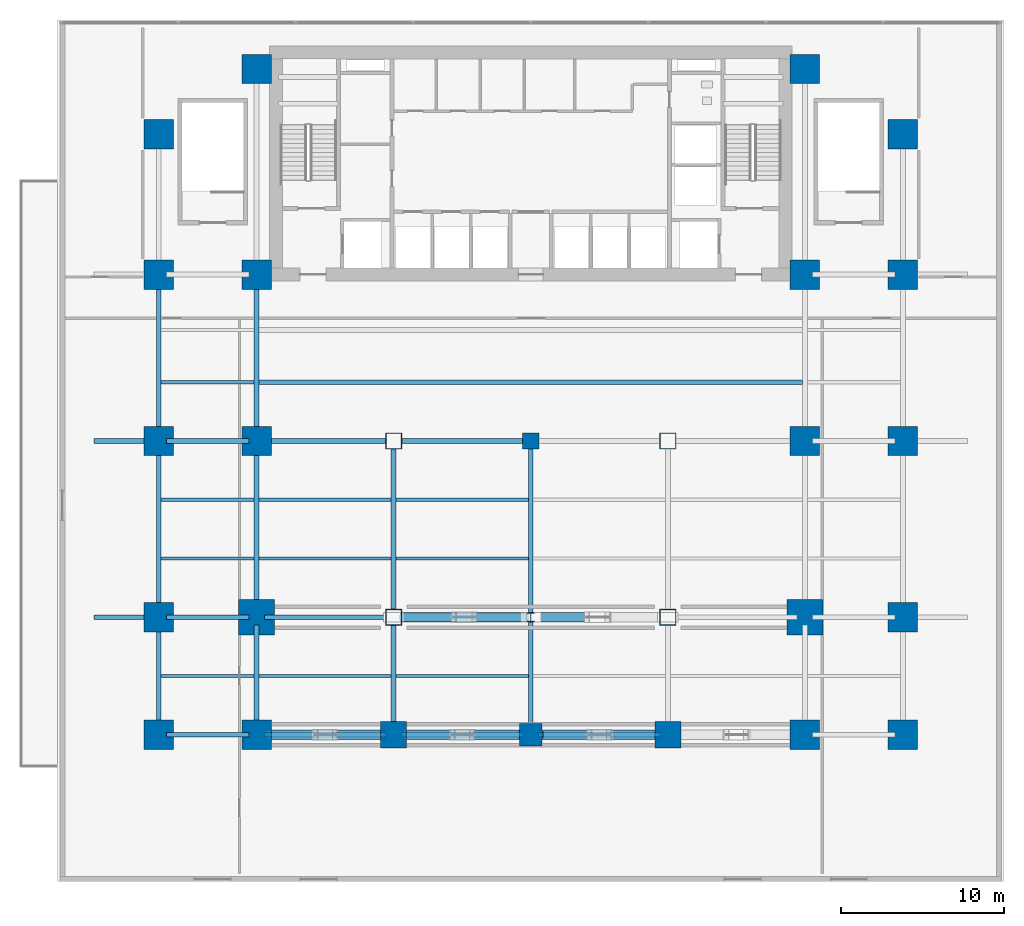
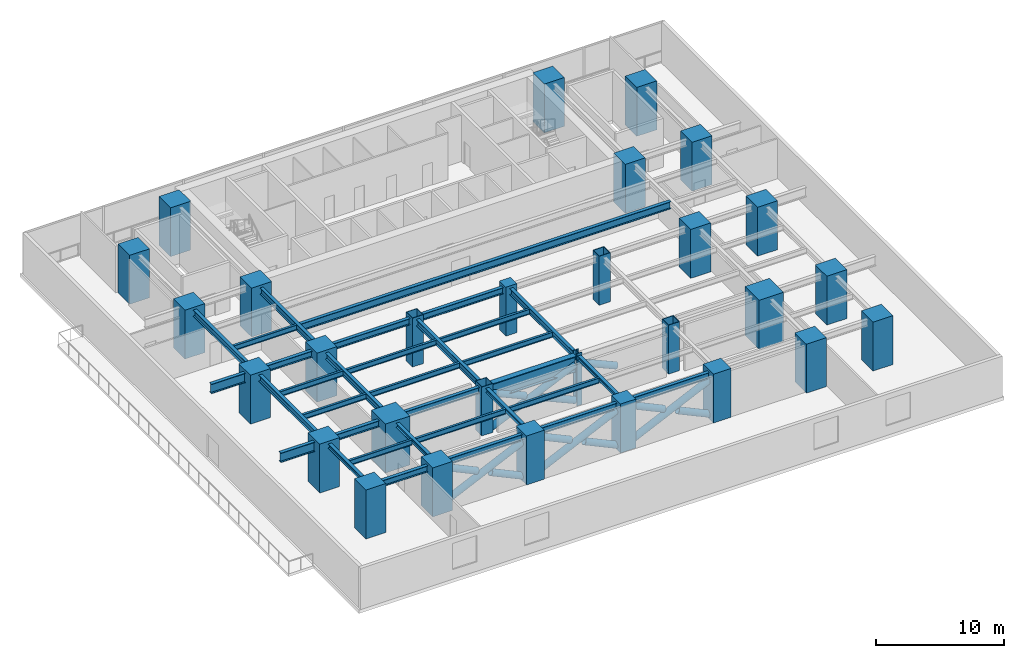
# One storey, part 1 of 15: 33 beams, 29 columns, 13 members.
"""IFC4 building model written with IfcOpenShell, lengths in metres."""

from ifc_helpers import new_model, si_unit, direction, frame, origin, origin_with_axes, origin_2d, place, context, subcontext, project, spatial, rectangle, hollow_rectangle, hollow_circle, i_section, extrude, source, transform, mapped, material, material_profile, profile_set, type_object, element, save


model = new_model("IFC4")

# Units and contexts
model_context = context("Model", 3, precision=1e-05, world=origin(), true_north=direction((0.0, 1.0)))
body_context = subcontext(model_context, "Body", "Model", "MODEL_VIEW")
ifc_project = project(units=[si_unit("LENGTHUNIT", "METRE"), si_unit("AREAUNIT", "SQUARE_METRE"), si_unit("VOLUMEUNIT", "CUBIC_METRE"), si_unit("PLANEANGLEUNIT", "RADIAN"), si_unit("MASSUNIT", "GRAM", prefix="KILO")], contexts=[model_context])

# Site, building, storey
site_placement = place(None, origin())
site = spatial("IfcSite", under=ifc_project, at=site_placement, CompositionType="ELEMENT")
building_placement = place(site_placement, origin())
building = spatial("IfcBuilding", under=site, at=building_placement, Name="Sumidabori Civic Tower", CompositionType="ELEMENT")
storey_placement = place(building_placement, frame((0.0, 0.0, 18.949951171875)))
storey = spatial("IfcBuildingStorey", under=building, at=storey_placement, Name="L04", CompositionType="ELEMENT", Elevation=18.949951171875)

# Columns
ifc_material_1 = material(Name="Concrete C60/75", Category="concrete")
ifc_material_profile_1 = material_profile(ifc_material_1, rectangle(XDim=1.800048828125, YDim=1.800048828125, at=origin_2d()), Name="RC 1800x1800")
ifc_profile_set_1 = profile_set([ifc_material_profile_1], Name="Concrete C60/75")
column_type_1 = type_object("IfcColumnType", Name="CL-MEGA-1800", PredefinedType="COLUMN", material=ifc_profile_set_1)
shared_shape_1 = source(origin(), body_context, "Body", "SweptSolid", [
    extrude(rectangle(XDim=1.800048828125, YDim=1.800048828125, at=origin_2d()), origin(), (0.0, 0.0, 1.0), 4.650146484375),
])
for number, where, z_axis, x_axis, name in (
    (1, (-16.800048828125, -18.0, 0.0), (0.0, 0.0, 1.0), (1.0, 0.0, 0.0), "Column MC-W16-Y18S L04"),
    (2, (-16.800048828125, 0.0, 0.0), (0.0, 0.0, 1.0), (1.0, 0.0, 0.0), "Column MC-W16-Y00 L04"),
    (3, (-16.800048828125, 10.199951171875, 0.0), (0.0, 0.0, 1.0), (1.0, 0.0, 0.0), "Column MC-W16-Y10N L04"),
    (4, (-16.800048828125, 22.800048828125, 0.0), (0.0, 0.0, 1.0), (1.0, 0.0, 0.0), "Column MC-W16-Y23N L04"),
    (5, (16.800048828125, -18.0, 0.0), (0.0, 0.0, 1.0), (1.0, 0.0, 0.0), "Column MC-E16-Y18S L04"),
    (6, (16.800048828125, 0.0, 0.0), (0.0, 0.0, 1.0), (1.0, 0.0, 0.0), "Column MC-E16-Y00 L04"),
    (7, (16.800048828125, 10.199951171875, 0.0), (0.0, 0.0, 1.0), (1.0, 0.0, 0.0), "Column MC-E16-Y10N L04"),
    (8, (16.800048828125, 22.800048828125, 0.0), (0.0, 0.0, 1.0), (1.0, 0.0, 0.0), "Column MC-E16-Y23N L04"),
    (9, (-22.800048828125, -18.0, 0.0), (0.0, 0.0, 1.0), (1.0, 0.0, 0.0), "Column MC-W23-Y18S L04"),
    (10, (-22.800048828125, -10.800048828125, 0.0), (0.0, 0.0, 1.0), (1.0, 0.0, 0.0), "Column MC-W23-Y11S L04"),
    (11, (-22.800048828125, 0.0, 0.0), (0.0, 0.0, 1.0), (1.0, 0.0, 0.0), "Column MC-W23-Y00 L04"),
    (12, (-22.800048828125, 10.199951171875, 0.0), (0.0, 0.0, 1.0), (1.0, 0.0, 0.0), "Column MC-W23-Y10N L04"),
    (13, (-22.800048828125, 18.800048828125, 0.0), (0.0, 0.0, 1.0), (1.0, 0.0, 0.0), "Column MC-W23-Y19N L04"),
    (14, (22.800048828125, -18.0, 0.0), (0.0, 0.0, 1.0), (1.0, 0.0, 0.0), "Column MC-E23-Y18S L04"),
    (15, (22.800048828125, -10.800048828125, 0.0), (0.0, 0.0, 1.0), (1.0, 0.0, 0.0), "Column MC-E23-Y11S L04"),
    (16, (22.800048828125, 0.0, 0.0), (0.0, 0.0, 1.0), (1.0, 0.0, 0.0), "Column MC-E23-Y00 L04"),
    (17, (22.800048828125, 10.199951171875, 0.0), (0.0, 0.0, 1.0), (1.0, 0.0, 0.0), "Column MC-E23-Y10N L04"),
    (18, (22.800048828125, 18.800048828125, 0.0), (0.0, 0.0, 1.0), (1.0, 0.0, 0.0), "Column MC-E23-Y19N L04"),
):
    element("IfcColumn", number, at=place(storey_placement, frame(where, z_axis=z_axis, x_axis=x_axis)), inside=storey, type_object=column_type_1, Name=name, PredefinedType="COLUMN", context=body_context, shape_type="MappedRepresentation", body=[
        mapped(shared_shape_1, transform((0.0, 0.0, 0.0), x_axis=(1.0, 0.0, 0.0), y_axis=(0.0, 1.0, 0.0), z_axis=(0.0, 0.0, 1.0), scale=1.0)),
    ])
ifc_material_profile_2 = material_profile(ifc_material_1, rectangle(XDim=2.199951171875, YDim=2.199951171875, at=origin_2d()), Name="RC 2200x2200")
ifc_profile_set_2 = profile_set([ifc_material_profile_2], Name="Concrete C60/75")
column_type_2 = type_object("IfcColumnType", Name="CL-SUPER-2200", PredefinedType="COLUMN", material=ifc_profile_set_2)
shared_shape_2 = source(origin(), body_context, "Body", "SweptSolid", [
    extrude(rectangle(XDim=2.199951171875, YDim=2.199951171875, at=origin_2d()), origin(), (0.0, 0.0, 1.0), 4.650146484375),
])
for number, where, z_axis, x_axis, name in (
    (19, (-16.800048828125, -10.800048828125, 0.0), (0.0, 0.0, 1.0), (1.0, 0.0, 0.0), "Column MC-W16-Y11S L04"),
    (20, (16.800048828125, -10.800048828125, 0.0), (0.0, 0.0, 1.0), (1.0, 0.0, 0.0), "Column MC-E16-Y11S L04"),
):
    element("IfcColumn", number, at=place(storey_placement, frame(where, z_axis=z_axis, x_axis=x_axis)), inside=storey, type_object=column_type_2, Name=name, PredefinedType="COLUMN", context=body_context, shape_type="MappedRepresentation", body=[
        mapped(shared_shape_2, transform((0.0, 0.0, 0.0), x_axis=(1.0, 0.0, 0.0), y_axis=(0.0, 1.0, 0.0), z_axis=(0.0, 0.0, 1.0), scale=1.0)),
    ])
ifc_material_profile_3 = material_profile(ifc_material_1, rectangle(XDim=1.60009765625, YDim=1.60009765625, at=origin_2d()), Name="RC 1600x1600")
ifc_profile_set_3 = profile_set([ifc_material_profile_3], Name="Concrete C60/75")
column_type_3 = type_object("IfcColumnType", Name="CL-MEGA-1600", PredefinedType="COLUMN", material=ifc_profile_set_3)
shared_shape_3 = source(origin(), body_context, "Body", "SweptSolid", [
    extrude(rectangle(XDim=1.60009765625, YDim=1.60009765625, at=origin_2d()), origin(), (0.0, 0.0, 1.0), 4.650146484375),
])
for number, where, z_axis, x_axis, name in (
    (21, (-8.39990234375, -18.0, 0.0), (0.0, 0.0, 1.0), (1.0, 0.0, 0.0), "Column MC-W08-Y18S L04"),
    (22, (8.39990234375, -18.0, 0.0), (0.0, 0.0, 1.0), (1.0, 0.0, 0.0), "Column MC-E08-Y18S L04"),
):
    element("IfcColumn", number, at=place(storey_placement, frame(where, z_axis=z_axis, x_axis=x_axis)), inside=storey, type_object=column_type_3, Name=name, PredefinedType="COLUMN", context=body_context, shape_type="MappedRepresentation", body=[
        mapped(shared_shape_3, transform((0.0, 0.0, 0.0), x_axis=(1.0, 0.0, 0.0), y_axis=(0.0, 1.0, 0.0), z_axis=(0.0, 0.0, 1.0), scale=1.0)),
    ])
ifc_material_2 = material(Name="Steel SM570", Category="steel")
ifc_material_profile_4 = material_profile(ifc_material_2, hollow_rectangle(XDim=1.0, YDim=1.0, WallThickness=0.044921875, at=origin_2d()), Name="SHS 1000x1000x45")
ifc_profile_set_4 = profile_set([ifc_material_profile_4], Name="Steel SM570")
column_type_4 = type_object("IfcColumnType", Name="CL-PORTAL-SHS1000", PredefinedType="COLUMN", material=ifc_profile_set_4)
shared_shape_4 = source(origin(), body_context, "Body", "SweptSolid", [
    extrude(hollow_rectangle(XDim=1.0, YDim=1.0, WallThickness=0.044921875, at=origin_2d()), origin(), (0.0, 0.0, 1.0), 4.650146484375),
])
for number, where, z_axis, x_axis, name in (
    (23, (-8.39990234375, 0.0, 0.0), (0.0, 0.0, 1.0), (1.0, 0.0, 0.0), "Column MC-W08-Y00 L04"),
    (24, (-8.39990234375, -10.800048828125, 0.0), (0.0, 0.0, 1.0), (1.0, 0.0, 0.0), "Column MC-W08-Y11S L04"),
    (25, (8.39990234375, 0.0, 0.0), (0.0, 0.0, 1.0), (1.0, 0.0, 0.0), "Column MC-E08-Y00 L04"),
    (26, (8.39990234375, -10.800048828125, 0.0), (0.0, 0.0, 1.0), (1.0, 0.0, 0.0), "Column MC-E08-Y11S L04"),
):
    element("IfcColumn", number, at=place(storey_placement, frame(where, z_axis=z_axis, x_axis=x_axis)), inside=storey, type_object=column_type_4, Name=name, PredefinedType="COLUMN", context=body_context, shape_type="MappedRepresentation", body=[
        mapped(shared_shape_4, transform((0.0, 0.0, 0.0), x_axis=(1.0, 0.0, 0.0), y_axis=(0.0, 1.0, 0.0), z_axis=(0.0, 0.0, 1.0), scale=1.0)),
    ])
ifc_material_profile_5 = material_profile(ifc_material_1, rectangle(XDim=1.39990234375, YDim=1.39990234375, at=origin_2d()), Name="RC 1400x1400")
ifc_profile_set_5 = profile_set([ifc_material_profile_5], Name="Concrete C60/75")
column_type_5 = type_object("IfcColumnType", Name="CL-MEGA-1400", PredefinedType="COLUMN", material=ifc_profile_set_5)
shared_shape_5 = source(origin(), body_context, "Body", "SweptSolid", [
    extrude(rectangle(XDim=1.39990234375, YDim=1.39990234375, at=origin_2d()), origin(), (0.0, 0.0, 1.0), 4.650146484375),
])
column_1_placement = place(storey_placement, frame((0.0, -18.0, 0.0), z_axis=(0.0, 0.0, 1.0), x_axis=(1.0, 0.0, 0.0)))
element("IfcColumn", 27, at=column_1_placement, inside=storey, type_object=column_type_5, Name="Column MC-C00-Y18S L04", PredefinedType="COLUMN", context=body_context, shape_type="MappedRepresentation", body=[
    mapped(shared_shape_5, transform((0.0, 0.0, 0.0), x_axis=(1.0, 0.0, 0.0), y_axis=(0.0, 1.0, 0.0), z_axis=(0.0, 0.0, 1.0), scale=1.0)),
])
ifc_material_3 = material(Name="Concrete C50/60", Category="concrete")
ifc_material_profile_6 = material_profile(ifc_material_3, rectangle(XDim=1.0, YDim=1.0, at=origin_2d()), Name="RC 1000x1000")
ifc_profile_set_6 = profile_set([ifc_material_profile_6], Name="Concrete C50/60")
column_type_6 = type_object("IfcColumnType", Name="CL-INT-1000", PredefinedType="COLUMN", material=ifc_profile_set_6)
shared_shape_6 = source(origin(), body_context, "Body", "SweptSolid", [
    extrude(rectangle(XDim=1.0, YDim=1.0, at=origin_2d()), origin(), (0.0, 0.0, 1.0), 4.650146484375),
])
column_2_placement = place(storey_placement, origin_with_axes())
element("IfcColumn", 28, at=column_2_placement, inside=storey, type_object=column_type_6, Name="Column MC-C00-Y00 L04", PredefinedType="COLUMN", context=body_context, shape_type="MappedRepresentation", body=[
    mapped(shared_shape_6, transform((0.0, 0.0, 0.0), x_axis=(1.0, 0.0, 0.0), y_axis=(0.0, 1.0, 0.0), z_axis=(0.0, 0.0, 1.0), scale=1.0)),
])
ifc_material_4 = material(Name="Steel SN490", Category="steel")
ifc_material_profile_7 = material_profile(ifc_material_4, i_section(OverallWidth=0.4541015625, OverallDepth=0.569091796875, WebThickness=0.044921875, FlangeThickness=0.06396484375, at=origin_2d()), Name="W14X730")
ifc_profile_set_7 = profile_set([ifc_material_profile_7], Name="Steel SN490")
column_type_7 = type_object("IfcColumnType", Name="CL-TRUSS-W14", PredefinedType="COLUMN", material=ifc_profile_set_7)
shared_shape_7 = source(origin(), body_context, "Body", "SweptSolid", [
    extrude(i_section(OverallWidth=0.4541015625, OverallDepth=0.569091796875, WebThickness=0.044921875, FlangeThickness=0.06396484375, at=origin_2d()), origin(), (0.0, 0.0, 1.0), 4.97021484375),
])
column_3_placement = place(storey_placement, frame((0.0, -10.800048828125, -0.320068359375), z_axis=(0.0, 0.0, 1.0), x_axis=(1.0, 0.0, 0.0)))
element("IfcColumn", 29, at=column_3_placement, inside=storey, type_object=column_type_7, Name="Column MC-C00-Y11S L04", PredefinedType="COLUMN", context=body_context, shape_type="MappedRepresentation", body=[
    mapped(shared_shape_7, transform((0.0, 0.0, 0.0), x_axis=(1.0, 0.0, 0.0), y_axis=(0.0, 1.0, 0.0), z_axis=(0.0, 0.0, 1.0), scale=1.0)),
])

# Beams
ifc_material_profile_8 = material_profile(ifc_material_4, i_section(OverallWidth=0.300048828125, OverallDepth=0.60009765625, WebThickness=0.015380859375, FlangeThickness=0.030029296875, at=origin_2d()), Name="HE 600 B")
ifc_profile_set_8 = profile_set([ifc_material_profile_8], Name="Steel SN490")
beam_type_1 = type_object("IfcBeamType", Name="BM-GIRD-600", PredefinedType="BEAM", material=ifc_profile_set_8)
shared_shape_8 = source(origin(), body_context, "Body", "SweptSolid", [
    extrude(i_section(OverallWidth=0.300048828125, OverallDepth=0.60009765625, WebThickness=0.015380859375, FlangeThickness=0.030029296875, at=origin_2d()), origin(), (0.0, 0.0, 1.0), 5.0400390625),
])
for number, where, z_axis, x_axis, name in (
    (30, (-22.320068359375, -18.0, 4.110107421875), (1.0, 0.0, 0.0), (0.0, 1.0, 0.0), "Primary Girder L04 GX-01"),
    (31, (-22.320068359375, -10.800048828125, 4.110107421875), (1.0, 0.0, 0.0), (0.0, 1.0, 0.0), "Primary Girder L04 GX-07"),
    (32, (-22.320068359375, 0.0, 4.110107421875), (1.0, 0.0, 0.0), (0.0, 1.0, 0.0), "Primary Girder L04 GX-11"),
):
    element("IfcBeam", number, at=place(storey_placement, frame(where, z_axis=z_axis, x_axis=x_axis)), inside=storey, type_object=beam_type_1, Name=name, PredefinedType="BEAM", context=body_context, shape_type="MappedRepresentation", body=[
        mapped(shared_shape_8, transform((0.0, 0.0, 0.0), x_axis=(1.0, 0.0, 0.0), y_axis=(0.0, 1.0, 0.0), z_axis=(0.0, 0.0, 1.0), scale=1.0)),
    ])
shared_shape_9 = source(origin(), body_context, "Body", "SweptSolid", [
    extrude(i_section(OverallWidth=0.300048828125, OverallDepth=0.60009765625, WebThickness=0.015380859375, FlangeThickness=0.030029296875, at=origin_2d()), origin(), (0.0, 0.0, 1.0), 7.440185546875),
])
for number, where, z_axis, x_axis, name in (
    (33, (-16.320068359375, -18.0, 4.110107421875), (1.0, 0.0, 0.0), (0.0, 1.0, 0.0), "Primary Girder L04 GX-02"),
    (34, (-16.320068359375, -10.800048828125, 4.110107421875), (1.0, 0.0, 0.0), (0.0, 1.0, 0.0), "Primary Girder L04 GX-08"),
    (35, (-16.320068359375, 0.0, 4.110107421875), (1.0, 0.0, 0.0), (0.0, 1.0, 0.0), "Primary Girder L04 GX-12"),
):
    element("IfcBeam", number, at=place(storey_placement, frame(where, z_axis=z_axis, x_axis=x_axis)), inside=storey, type_object=beam_type_1, Name=name, PredefinedType="BEAM", context=body_context, shape_type="MappedRepresentation", body=[
        mapped(shared_shape_9, transform((0.0, 0.0, 0.0), x_axis=(1.0, 0.0, 0.0), y_axis=(0.0, 1.0, 0.0), z_axis=(0.0, 0.0, 1.0), scale=1.0)),
    ])
shared_shape_10 = source(origin(), body_context, "Body", "SweptSolid", [
    extrude(i_section(OverallWidth=0.300048828125, OverallDepth=0.60009765625, WebThickness=0.015380859375, FlangeThickness=0.030029296875, at=origin_2d()), origin(), (0.0, 0.0, 1.0), 7.43994140625),
])
for number, where, z_axis, x_axis, name in (
    (36, (-7.919921875, -18.0, 4.110107421875), (1.0, 0.0, 0.0), (0.0, 1.0, 0.0), "Primary Girder L04 GX-03"),
    (37, (0.47998046875, -18.0, 4.110107421875), (1.0, 0.0, 0.0), (0.0, 1.0, 0.0), "Primary Girder L04 GX-04"),
    (38, (-7.919921875, 0.0, 4.110107421875), (1.0, 0.0, 0.0), (0.0, 1.0, 0.0), "Primary Girder L04 GX-13"),
):
    element("IfcBeam", number, at=place(storey_placement, frame(where, z_axis=z_axis, x_axis=x_axis)), inside=storey, type_object=beam_type_1, Name=name, PredefinedType="BEAM", context=body_context, shape_type="MappedRepresentation", body=[
        mapped(shared_shape_10, transform((0.0, 0.0, 0.0), x_axis=(1.0, 0.0, 0.0), y_axis=(0.0, 1.0, 0.0), z_axis=(0.0, 0.0, 1.0), scale=1.0)),
    ])
ifc_material_profile_9 = material_profile(ifc_material_4, i_section(OverallWidth=0.300048828125, OverallDepth=0.39990234375, WebThickness=0.013427734375, FlangeThickness=0.02392578125, at=origin_2d()), Name="HE 400 B")
ifc_profile_set_9 = profile_set([ifc_material_profile_9], Name="Steel SN490")
beam_type_2 = type_object("IfcBeamType", Name="BM-GIRD-400", PredefinedType="BEAM", material=ifc_profile_set_9)
shared_shape_11 = source(origin(), body_context, "Body", "SweptSolid", [
    extrude(i_section(OverallWidth=0.300048828125, OverallDepth=0.39990234375, WebThickness=0.013427734375, FlangeThickness=0.02392578125, at=origin_2d()), origin(), (0.0, 0.0, 1.0), 6.239990234375),
])
for number, where, z_axis, x_axis, name in (
    (39, (-22.800048828125, -17.52001953125, 4.2099609375), (0.0, 1.0, 0.0), (-1.0, 0.0, 0.0), "Primary Girder L04 GY-19"),
    (40, (-16.800048828125, -17.52001953125, 4.2099609375), (0.0, 1.0, 0.0), (-1.0, 0.0, 0.0), "Primary Girder L04 GY-23"),
    (41, (-8.39990234375, -17.52001953125, 4.2099609375), (0.0, 1.0, 0.0), (-1.0, 0.0, 0.0), "Primary Girder L04 GY-27"),
):
    element("IfcBeam", number, at=place(storey_placement, frame(where, z_axis=z_axis, x_axis=x_axis)), inside=storey, type_object=beam_type_2, Name=name, PredefinedType="BEAM", context=body_context, shape_type="MappedRepresentation", body=[
        mapped(shared_shape_11, transform((0.0, 0.0, 0.0), x_axis=(1.0, 0.0, 0.0), y_axis=(0.0, 1.0, 0.0), z_axis=(0.0, 0.0, 1.0), scale=1.0)),
    ])
shared_shape_12 = source(origin(), body_context, "Body", "SweptSolid", [
    extrude(i_section(OverallWidth=0.300048828125, OverallDepth=0.60009765625, WebThickness=0.015380859375, FlangeThickness=0.030029296875, at=origin_2d()), origin(), (0.0, 0.0, 1.0), 9.840087890625),
])
for number, where, z_axis, x_axis, name in (
    (42, (-22.800048828125, -10.320068359375, 4.110107421875), (0.0, 1.0, 0.0), (-1.0, 0.0, 0.0), "Primary Girder L04 GY-20"),
    (43, (-16.800048828125, -10.320068359375, 4.110107421875), (0.0, 1.0, 0.0), (-1.0, 0.0, 0.0), "Primary Girder L04 GY-24"),
    (44, (-8.39990234375, -10.320068359375, 4.110107421875), (0.0, 1.0, 0.0), (-1.0, 0.0, 0.0), "Primary Girder L04 GY-28"),
):
    element("IfcBeam", number, at=place(storey_placement, frame(where, z_axis=z_axis, x_axis=x_axis)), inside=storey, type_object=beam_type_1, Name=name, PredefinedType="BEAM", context=body_context, shape_type="MappedRepresentation", body=[
        mapped(shared_shape_12, transform((0.0, 0.0, 0.0), x_axis=(1.0, 0.0, 0.0), y_axis=(0.0, 1.0, 0.0), z_axis=(0.0, 0.0, 1.0), scale=1.0)),
    ])
shared_shape_13 = source(origin(), body_context, "Body", "SweptSolid", [
    extrude(i_section(OverallWidth=0.300048828125, OverallDepth=0.60009765625, WebThickness=0.015380859375, FlangeThickness=0.030029296875, at=origin_2d()), origin(), (0.0, 0.0, 1.0), 9.239990234375),
])
for number, where, z_axis, x_axis, name in (
    (45, (-22.800048828125, 0.47998046875, 4.110107421875), (0.0, 1.0, 0.0), (-1.0, 0.0, 0.0), "Primary Girder L04 GY-21"),
    (46, (-16.800048828125, 0.47998046875, 4.110107421875), (0.0, 1.0, 0.0), (-1.0, 0.0, 0.0), "Primary Girder L04 GY-25"),
):
    element("IfcBeam", number, at=place(storey_placement, frame(where, z_axis=z_axis, x_axis=x_axis)), inside=storey, type_object=beam_type_1, Name=name, PredefinedType="BEAM", context=body_context, shape_type="MappedRepresentation", body=[
        mapped(shared_shape_13, transform((0.0, 0.0, 0.0), x_axis=(1.0, 0.0, 0.0), y_axis=(0.0, 1.0, 0.0), z_axis=(0.0, 0.0, 1.0), scale=1.0)),
    ])
shared_shape_14 = source(origin(), body_context, "Body", "SweptSolid", [
    extrude(i_section(OverallWidth=0.300048828125, OverallDepth=0.39990234375, WebThickness=0.013427734375, FlangeThickness=0.02392578125, at=origin_2d()), origin(), (0.0, 0.0, 1.0), 6.489990234375),
])
beam_1_placement = place(storey_placement, frame((0.0, -17.52001953125, 4.2099609375), z_axis=(0.0, 1.0, 0.0), x_axis=(-1.0, 0.0, 0.0)))
element("IfcBeam", 47, at=beam_1_placement, inside=storey, type_object=beam_type_2, Name="Primary Girder L04 GY-29", PredefinedType="BEAM", context=body_context, shape_type="MappedRepresentation", body=[
    mapped(shared_shape_14, transform((0.0, 0.0, 0.0), x_axis=(1.0, 0.0, 0.0), y_axis=(0.0, 1.0, 0.0), z_axis=(0.0, 0.0, 1.0), scale=1.0)),
])
shared_shape_15 = source(origin(), body_context, "Body", "SweptSolid", [
    extrude(i_section(OverallWidth=0.300048828125, OverallDepth=0.60009765625, WebThickness=0.015380859375, FlangeThickness=0.030029296875, at=origin_2d()), origin(), (0.0, 0.0, 1.0), 10.090087890625),
])
beam_2_placement = place(storey_placement, frame((0.0, -10.570068359375, 4.110107421875), z_axis=(0.0, 1.0, 0.0), x_axis=(-1.0, 0.0, 0.0)))
element("IfcBeam", 48, at=beam_2_placement, inside=storey, type_object=beam_type_1, Name="Primary Girder L04 GY-30", PredefinedType="BEAM", context=body_context, shape_type="MappedRepresentation", body=[
    mapped(shared_shape_15, transform((0.0, 0.0, 0.0), x_axis=(1.0, 0.0, 0.0), y_axis=(0.0, 1.0, 0.0), z_axis=(0.0, 0.0, 1.0), scale=1.0)),
])
ifc_material_profile_10 = material_profile(ifc_material_4, i_section(OverallWidth=0.302001953125, OverallDepth=0.909912109375, WebThickness=0.02099609375, FlangeThickness=0.0400390625, at=origin_2d()), Name="HE 900 M")
ifc_profile_set_10 = profile_set([ifc_material_profile_10], Name="Steel SN490")
beam_type_3 = type_object("IfcBeamType", Name="BM-Z1-EDGE", PredefinedType="SPANDREL", material=ifc_profile_set_10)
shared_shape_16 = source(origin(), body_context, "Body", "SweptSolid", [
    extrude(i_section(OverallWidth=0.302001953125, OverallDepth=0.909912109375, WebThickness=0.02099609375, FlangeThickness=0.0400390625, at=origin_2d()), origin(), (0.0, 0.0, 1.0), 3.050048828125),
])
for number, where, z_axis, x_axis, name in (
    (49, (-26.75, -10.800048828125, 3.955078125), (1.0, 0.0, 0.0), (0.0, 1.0, 0.0), "Perimeter Overhang Beam L04 W-42"),
    (50, (-26.75, 0.0, 3.955078125), (1.0, 0.0, 0.0), (0.0, 1.0, 0.0), "Perimeter Overhang Beam L04 W-44"),
):
    element("IfcBeam", number, at=place(storey_placement, frame(where, z_axis=z_axis, x_axis=x_axis)), inside=storey, type_object=beam_type_3, Name=name, PredefinedType="SPANDREL", context=body_context, shape_type="MappedRepresentation", body=[
        mapped(shared_shape_16, transform((0.0, 0.0, 0.0), x_axis=(1.0, 0.0, 0.0), y_axis=(0.0, 1.0, 0.0), z_axis=(0.0, 0.0, 1.0), scale=1.0)),
    ])
ifc_material_profile_11 = material_profile(ifc_material_4, i_section(OverallWidth=0.199951171875, OverallDepth=0.5, WebThickness=0.01025390625, FlangeThickness=0.01611328125, at=origin_2d()), Name="IPE 500")
ifc_profile_set_11 = profile_set([ifc_material_profile_11], Name="Steel SN490")
beam_type_4 = type_object("IfcBeamType", Name="BM-JST-500", PredefinedType="JOIST", material=ifc_profile_set_11)
shared_shape_17 = source(origin(), body_context, "Body", "SweptSolid", [
    extrude(i_section(OverallWidth=0.199951171875, OverallDepth=0.5, WebThickness=0.01025390625, FlangeThickness=0.01611328125, at=origin_2d()), origin(), (0.0, 0.0, 1.0), 5.699951171875),
])
for number, where, z_axis, x_axis, name in (
    (51, (-22.64990234375, -7.199951171875, 4.16015625), (1.0, 0.0, 0.0), (0.0, 1.0, 0.0), "Outer Bay Floor Joist L04 JSTO-47"),
    (52, (-22.64990234375, -3.60009765625, 4.16015625), (1.0, 0.0, 0.0), (0.0, 1.0, 0.0), "Outer Bay Floor Joist L04 JSTO-49"),
    (53, (-22.64990234375, 3.60009765625, 4.16015625), (1.0, 0.0, 0.0), (0.0, 1.0, 0.0), "Outer Bay Floor Joist L04 JSTO-51"),
    (54, (-22.64990234375, -14.39990234375, 4.16015625), (1.0, 0.0, 0.0), (0.0, 1.0, 0.0), "Outer Bay Floor Joist L04 JSTO-55"),
):
    element("IfcBeam", number, at=place(storey_placement, frame(where, z_axis=z_axis, x_axis=x_axis)), inside=storey, type_object=beam_type_4, Name=name, PredefinedType="JOIST", context=body_context, shape_type="MappedRepresentation", body=[
        mapped(shared_shape_17, transform((0.0, 0.0, 0.0), x_axis=(1.0, 0.0, 0.0), y_axis=(0.0, 1.0, 0.0), z_axis=(0.0, 0.0, 1.0), scale=1.0)),
    ])
ifc_material_profile_12 = material_profile(ifc_material_4, i_section(OverallWidth=0.300048828125, OverallDepth=0.699951171875, WebThickness=0.01708984375, FlangeThickness=0.031982421875, at=origin_2d()), Name="HE 700 B")
ifc_profile_set_12 = profile_set([ifc_material_profile_12], Name="Steel SN490")
beam_type_5 = type_object("IfcBeamType", Name="BM-GIRD-700", PredefinedType="BEAM", material=ifc_profile_set_12)
shared_shape_18 = source(origin(), body_context, "Body", "SweptSolid", [
    extrude(i_section(OverallWidth=0.300048828125, OverallDepth=0.699951171875, WebThickness=0.01708984375, FlangeThickness=0.031982421875, at=origin_2d()), origin(), (0.0, 0.0, 1.0), 33.2998046875),
])
beam_3_placement = place(storey_placement, frame((-16.64990234375, 3.60009765625, 4.06005859375), z_axis=(1.0, 0.0, 0.0), x_axis=(0.0, 1.0, 0.0)))
element("IfcBeam", 55, at=beam_3_placement, inside=storey, type_object=beam_type_5, Name="North Bay Floor Beam L04 JSTN-57", PredefinedType="BEAM", context=body_context, shape_type="MappedRepresentation", body=[
    mapped(shared_shape_18, transform((0.0, 0.0, 0.0), x_axis=(1.0, 0.0, 0.0), y_axis=(0.0, 1.0, 0.0), z_axis=(0.0, 0.0, 1.0), scale=1.0)),
])
shared_shape_19 = source(origin(), body_context, "Body", "SweptSolid", [
    extrude(i_section(OverallWidth=0.199951171875, OverallDepth=0.5, WebThickness=0.01025390625, FlangeThickness=0.01611328125, at=origin_2d()), origin(), (0.0, 0.0, 1.0), 8.099853515625),
])
for number, where, z_axis, x_axis, name in (
    (56, (-16.64990234375, -14.39990234375, 4.16015625), (1.0, 0.0, 0.0), (0.0, 1.0, 0.0), "South Bay Floor Joist L04 JSTS-59"),
    (57, (-16.64990234375, -7.199951171875, 4.16015625), (1.0, 0.0, 0.0), (0.0, 1.0, 0.0), "South Bay Floor Joist L04 JSTS-63"),
    (58, (-16.64990234375, -3.60009765625, 4.16015625), (1.0, 0.0, 0.0), (0.0, 1.0, 0.0), "South Bay Floor Joist L04 JSTS-67"),
):
    element("IfcBeam", number, at=place(storey_placement, frame(where, z_axis=z_axis, x_axis=x_axis)), inside=storey, type_object=beam_type_4, Name=name, PredefinedType="JOIST", context=body_context, shape_type="MappedRepresentation", body=[
        mapped(shared_shape_19, transform((0.0, 0.0, 0.0), x_axis=(1.0, 0.0, 0.0), y_axis=(0.0, 1.0, 0.0), z_axis=(0.0, 0.0, 1.0), scale=1.0)),
    ])
shared_shape_20 = source(origin(), body_context, "Body", "SweptSolid", [
    extrude(i_section(OverallWidth=0.199951171875, OverallDepth=0.5, WebThickness=0.01025390625, FlangeThickness=0.01611328125, at=origin_2d()), origin(), (0.0, 0.0, 1.0), 8.10009765625),
])
for number, where, z_axis, x_axis, name in (
    (59, (-8.25, -14.39990234375, 4.16015625), (1.0, 0.0, 0.0), (0.0, 1.0, 0.0), "South Bay Floor Joist L04 JSTS-60"),
    (60, (-8.25, -7.199951171875, 4.16015625), (1.0, 0.0, 0.0), (0.0, 1.0, 0.0), "South Bay Floor Joist L04 JSTS-64"),
    (61, (-8.25, -3.60009765625, 4.16015625), (1.0, 0.0, 0.0), (0.0, 1.0, 0.0), "South Bay Floor Joist L04 JSTS-68"),
):
    element("IfcBeam", number, at=place(storey_placement, frame(where, z_axis=z_axis, x_axis=x_axis)), inside=storey, type_object=beam_type_4, Name=name, PredefinedType="JOIST", context=body_context, shape_type="MappedRepresentation", body=[
        mapped(shared_shape_20, transform((0.0, 0.0, 0.0), x_axis=(1.0, 0.0, 0.0), y_axis=(0.0, 1.0, 0.0), z_axis=(0.0, 0.0, 1.0), scale=1.0)),
    ])
ifc_material_profile_13 = material_profile(ifc_material_2, i_section(OverallWidth=0.5, OverallDepth=1.5, WebThickness=0.0380859375, FlangeThickness=0.06396484375, at=origin_2d()), Name="WTG 1500x500")
ifc_profile_set_13 = profile_set([ifc_material_profile_13], Name="Steel SM570")
beam_type_6 = type_object("IfcBeamType", Name="BM-TT-CHORD", PredefinedType="BEAM", material=ifc_profile_set_13)
shared_shape_21 = source(origin(), body_context, "Body", "SweptSolid", [
    extrude(i_section(OverallWidth=0.5, OverallDepth=1.5, WebThickness=0.0380859375, FlangeThickness=0.06396484375, at=origin_2d()), origin(), (0.0, 0.0, 1.0), 7.669921875),
])
beam_4_placement = place(storey_placement, frame((-7.919921875, -10.800048828125, 3.66015625), z_axis=(1.0, 0.0, 0.0), x_axis=(0.0, 1.0, 0.0)))
element("IfcBeam", 62, at=beam_4_placement, inside=storey, type_object=beam_type_6, Name="Podium Transfer Truss Top Chord TT1-T1", PredefinedType="BEAM", context=body_context, shape_type="MappedRepresentation", body=[
    mapped(shared_shape_21, transform((0.0, 0.0, 0.0), x_axis=(1.0, 0.0, 0.0), y_axis=(0.0, 1.0, 0.0), z_axis=(0.0, 0.0, 1.0), scale=1.0)),
])

# Members
ifc_material_profile_14 = material_profile(ifc_material_2, hollow_circle(Radius=0.3046875, WallThickness=0.031982421875, at=origin_2d()), Name="CHS 609.6x32")
ifc_profile_set_14 = profile_set([ifc_material_profile_14], Name="Steel SM570")
member_type = type_object("IfcMemberType", Name="MB-TT-DIAG", PredefinedType="BRACE", material=ifc_profile_set_14)
shared_shape_22 = source(origin(), body_context, "Body", "SweptSolid", [
    extrude(hollow_circle(Radius=0.3046875, WallThickness=0.031982421875, at=origin_2d()), origin(), (0.0, 0.0, 1.0), 8.393798828125),
])
member_1_placement = place(storey_placement, frame((-7.919921875, -10.800048828125, 0.10009765625), z_axis=(0.913764765126, 0.0, 0.406243712583), x_axis=(0.0, 1.0, 0.0)))
element("IfcMember", 63, at=member_1_placement, inside=storey, type_object=member_type, Name="Transfer Truss Diagonal TT1-D1-1", PredefinedType="BRACE", context=body_context, shape_type="MappedRepresentation", body=[
    mapped(shared_shape_22, transform((0.0, 0.0, 0.0), x_axis=(1.0, 0.0, 0.0), y_axis=(0.0, 1.0, 0.0), z_axis=(0.0, 0.0, 1.0), scale=1.0)),
])
shared_shape_23 = source(origin(), body_context, "Body", "SweptSolid", [
    extrude(hollow_circle(Radius=0.3046875, WallThickness=0.031982421875, at=origin_2d()), origin(), (0.0, 0.0, 1.0), 3.4951171875),
])
member_2_placement = place(storey_placement, frame((-7.919921875, -10.800048828125, 3.510009765625), z_axis=(0.913753928274, 0.0, -0.406268087061), x_axis=(0.0, 1.0, 0.0)))
element("IfcMember", 64, at=member_2_placement, inside=storey, type_object=member_type, Name="Transfer Truss Diagonal TT1-D2-1 Lower Segment", PredefinedType="BRACE", context=body_context, shape_type="MappedRepresentation", body=[
    mapped(shared_shape_23, transform((0.0, 0.0, 0.0), x_axis=(1.0, 0.0, 0.0), y_axis=(0.0, 1.0, 0.0), z_axis=(0.0, 0.0, 1.0), scale=1.0)),
])
shared_shape_24 = source(origin(), body_context, "Body", "SweptSolid", [
    extrude(hollow_circle(Radius=0.3046875, WallThickness=0.031982421875, at=origin_2d()), origin(), (0.0, 0.0, 1.0), 3.495361328125),
])
for number, where, z_axis, x_axis, name in (
    (65, (-3.44384765625, -10.800048828125, 1.52001953125), (0.913765456757, 0.0, -0.406242156895), (0.0, 1.0, 0.0), "Transfer Truss Diagonal TT1-D2-1 Upper Segment"),
    (66, (0.25, -10.800048828125, 3.510009765625), (0.913765456757, 0.0, -0.406242156895), (0.0, 1.0, 0.0), "Transfer Truss Diagonal TT1-D2-2 Lower Segment"),
):
    element("IfcMember", number, at=place(storey_placement, frame(where, z_axis=z_axis, x_axis=x_axis)), inside=storey, type_object=member_type, Name=name, PredefinedType="BRACE", context=body_context, shape_type="MappedRepresentation", body=[
        mapped(shared_shape_24, transform((0.0, 0.0, 0.0), x_axis=(1.0, 0.0, 0.0), y_axis=(0.0, 1.0, 0.0), z_axis=(0.0, 0.0, 1.0), scale=1.0)),
    ])
shared_shape_25 = source(origin(), body_context, "Body", "SweptSolid", [
    extrude(hollow_circle(Radius=0.3046875, WallThickness=0.031982421875, at=origin_2d()), origin(), (0.0, 0.0, 1.0), 7.83349609375),
])
member_3_placement = place(storey_placement, frame((-16.14990234375, -18.0, 0.35009765625), z_axis=(0.906339931618, 0.0, 0.422549320618), x_axis=(0.0, 1.0, 0.0)))
element("IfcMember", 67, at=member_3_placement, inside=storey, type_object=member_type, Name="South Braced Frame Diagonal TT2-1A", PredefinedType="BRACE", context=body_context, shape_type="MappedRepresentation", body=[
    mapped(shared_shape_25, transform((0.0, 0.0, 0.0), x_axis=(1.0, 0.0, 0.0), y_axis=(0.0, 1.0, 0.0), z_axis=(0.0, 0.0, 1.0), scale=1.0)),
])
shared_shape_26 = source(origin(), body_context, "Body", "SweptSolid", [
    extrude(hollow_circle(Radius=0.3046875, WallThickness=0.031982421875, at=origin_2d()), origin(), (0.0, 0.0, 1.0), 3.247314453125),
])
for number, where, z_axis, x_axis, name in (
    (68, (-16.14990234375, -18.0, 3.66015625), (0.906317543541, 0.0, -0.42259733822), (0.0, 1.0, 0.0), "South Braced Frame Diagonal TT2-1B Lower Segment"),
    (69, (-11.9931640625, -18.0, 1.72216796875), (0.906346337566, 0.0, -0.422535580018), (0.0, 1.0, 0.0), "South Braced Frame Diagonal TT2-1B Upper Segment"),
    (70, (-7.75, -18.0, 3.66015625), (0.906317543541, 0.0, -0.42259733822), (0.0, 1.0, 0.0), "South Braced Frame Diagonal TT2-2B Lower Segment"),
    (71, (4.806884765625, -18.0, 1.72216796875), (0.906346337566, 0.0, -0.422535580018), (0.0, 1.0, 0.0), "South Braced Frame Diagonal TT2-3B Upper Segment"),
):
    element("IfcMember", number, at=place(storey_placement, frame(where, z_axis=z_axis, x_axis=x_axis)), inside=storey, type_object=member_type, Name=name, PredefinedType="BRACE", context=body_context, shape_type="MappedRepresentation", body=[
        mapped(shared_shape_26, transform((0.0, 0.0, 0.0), x_axis=(1.0, 0.0, 0.0), y_axis=(0.0, 1.0, 0.0), z_axis=(0.0, 0.0, 1.0), scale=1.0)),
    ])
shared_shape_27 = source(origin(), body_context, "Body", "SweptSolid", [
    extrude(hollow_circle(Radius=0.3046875, WallThickness=0.031982421875, at=origin_2d()), origin(), (0.0, 0.0, 1.0), 7.833740234375),
])
for number, where, z_axis, x_axis, name in (
    (72, (-7.75, -18.0, 0.35009765625), (0.906345496016, 0.0, 0.422537385152), (0.0, 1.0, 0.0), "South Braced Frame Diagonal TT2-2A"),
    (73, (0.64990234375, -18.0, 0.35009765625), (0.906345496016, 0.0, 0.422537385152), (0.0, 1.0, 0.0), "South Braced Frame Diagonal TT2-3A"),
):
    element("IfcMember", number, at=place(storey_placement, frame(where, z_axis=z_axis, x_axis=x_axis)), inside=storey, type_object=member_type, Name=name, PredefinedType="BRACE", context=body_context, shape_type="MappedRepresentation", body=[
        mapped(shared_shape_27, transform((0.0, 0.0, 0.0), x_axis=(1.0, 0.0, 0.0), y_axis=(0.0, 1.0, 0.0), z_axis=(0.0, 0.0, 1.0), scale=1.0)),
    ])
shared_shape_28 = source(origin(), body_context, "Body", "SweptSolid", [
    extrude(hollow_circle(Radius=0.3046875, WallThickness=0.031982421875, at=origin_2d()), origin(), (0.0, 0.0, 1.0), 3.24755859375),
])
for number, where, z_axis, x_axis, name in (
    (74, (-3.59326171875, -18.0, 1.72216796875), (0.906359759316, 0.0, -0.422506788931), (0.0, 1.0, 0.0), "South Braced Frame Diagonal TT2-2B Upper Segment"),
    (75, (0.64990234375, -18.0, 3.66015625), (0.906330968788, 0.0, -0.422568544754), (0.0, 1.0, 0.0), "South Braced Frame Diagonal TT2-3B Lower Segment"),
):
    element("IfcMember", number, at=place(storey_placement, frame(where, z_axis=z_axis, x_axis=x_axis)), inside=storey, type_object=member_type, Name=name, PredefinedType="BRACE", context=body_context, shape_type="MappedRepresentation", body=[
        mapped(shared_shape_28, transform((0.0, 0.0, 0.0), x_axis=(1.0, 0.0, 0.0), y_axis=(0.0, 1.0, 0.0), z_axis=(0.0, 0.0, 1.0), scale=1.0)),
    ])

save(model, "model.ifc")
